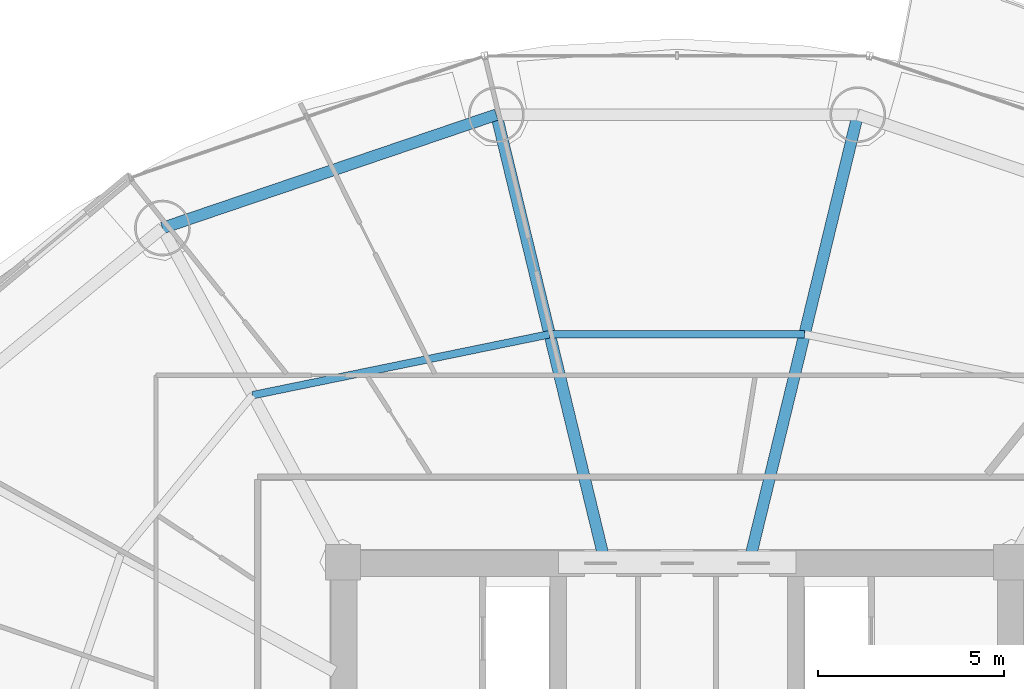
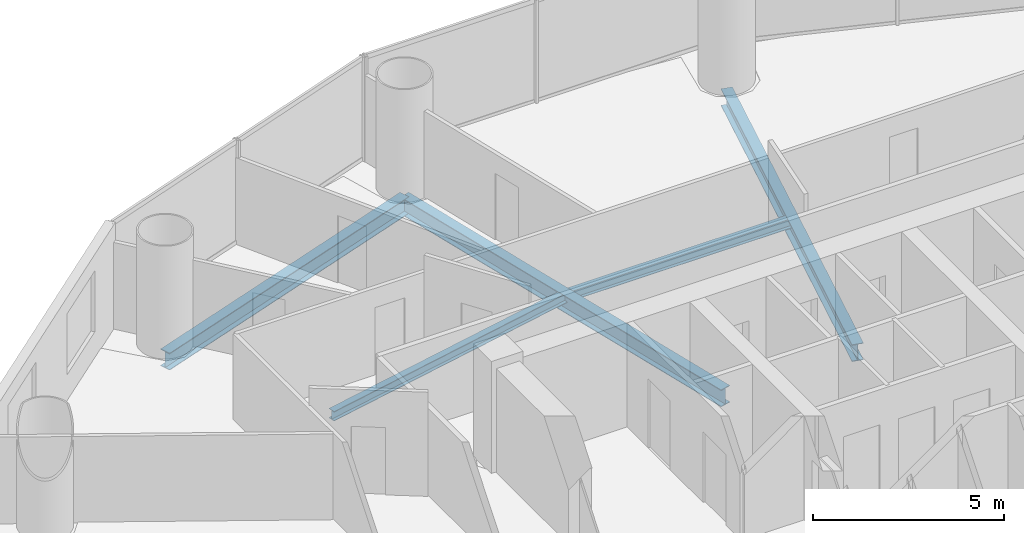
# One storey, part 17 of 29: 5 beams.
"""IFC4 building model written with IfcOpenShell, lengths in metres."""

import ifcopenshell
import ifcopenshell.guid

model = None  # the IFC model being written
_history = None  # IfcOwnerHistory: only IFC2X3 demands one
_inside = {}  # id of a spatial element -> (the spatial element, [elements in it])
_under = {}  # id of a project, library or spatial element -> (it, [spatial elements below it])
_declared = {}  # id of a project -> (the project, [libraries it declares])
_typed = {}  # id of a type object -> (the type object, [elements of that type])
_made_of = {}  # id of a material, layer set ... -> (it, [elements and type objects made of it])


def new_model(schema):
    """Start an empty IFC model of exactly this schema.

    Asked for "IFC4X3", IfcOpenShell would pick the latest addendum, in which some entities
    have other attributes; the version numbers below select the first issue.
    IFC2X3 requires an IfcOwnerHistory on every rooted entity: one is made here for all.
    """
    global model, _history
    if schema == "IFC4X3":
        model = ifcopenshell.file(schema_version=(4, 3, 0, 0))
    else:
        model = ifcopenshell.file(schema=schema)
    _inside.clear()
    _under.clear()
    _declared.clear()
    _typed.clear()
    _made_of.clear()
    _history = None
    if model.schema == "IFC2X3":
        org = make("IfcOrganization", Name="unknown")
        user = make(
            "IfcPersonAndOrganization",
            ThePerson=make("IfcPerson", FamilyName="unknown"),
            TheOrganization=org,
        )
        app = make(
            "IfcApplication",
            ApplicationDeveloper=org,
            Version="unknown",
            ApplicationFullName="unknown",
            ApplicationIdentifier="unknown",
        )
        _history = make(
            "IfcOwnerHistory",
            OwningUser=user,
            OwningApplication=app,
            ChangeAction="ADDED",
            CreationDate=0,
        )
    return model


def make(cls, **values):
    """One entity of the class cls with the attributes given. An attribute that is None is left unset."""
    return model.create_entity(
        cls, **{name: value for name, value in values.items() if value is not None}
    )


def rooted(cls, **values):
    """An entity with a GlobalId (a new one), such as an element, a storey or a relation."""
    return make(cls, GlobalId=ifcopenshell.guid.new(), OwnerHistory=_history, **values)


def si_unit(unit_type, name, prefix=None):
    """IfcSIUnit, for example si_unit("LENGTHUNIT", "METRE", prefix="MILLI")."""
    return make("IfcSIUnit", UnitType=unit_type, Prefix=prefix, Name=name)


def assignment(units):
    """IfcUnitAssignment: the units of a project."""
    return None if units is None else make("IfcUnitAssignment", Units=units)


def point(xyz):
    """IfcCartesianPoint."""
    return None if xyz is None else make("IfcCartesianPoint", Coordinates=xyz)


def direction(xyz):
    """IfcDirection."""
    return None if xyz is None else make("IfcDirection", DirectionRatios=xyz)


def frame(location, z_axis=None, x_axis=None):
    """IfcAxis2Placement3D, a coordinate frame: its origin and axes. An axis left out is left unset."""
    return make(
        "IfcAxis2Placement3D",
        Location=point(location),
        Axis=direction(z_axis),
        RefDirection=direction(x_axis),
    )


def frame_2d(location, x_axis=None):
    """IfcAxis2Placement2D, a coordinate frame in the plane: its origin and x axis."""
    return make(
        "IfcAxis2Placement2D", Location=point(location), RefDirection=direction(x_axis)
    )


def origin():
    """The frame at (0, 0, 0) with its axes left unset."""
    return frame((0.0, 0.0, 0.0))


def origin_2d():
    """The frame at (0, 0) in the plane with its x axis left unset."""
    return frame_2d((0.0, 0.0))


def place(relative_to, where):
    """IfcLocalPlacement: puts the frame where relative to a parent placement (None: the world)."""
    return make(
        "IfcLocalPlacement", PlacementRelTo=relative_to, RelativePlacement=where
    )


def context(
    kind, dimensions, precision=None, world=None, true_north=None, identifier=None
):
    """IfcGeometricRepresentationContext, for example the 3D "Model" context."""
    return make(
        "IfcGeometricRepresentationContext",
        ContextIdentifier=identifier,
        ContextType=kind,
        CoordinateSpaceDimension=dimensions,
        Precision=precision,
        WorldCoordinateSystem=world,
        TrueNorth=true_north,
    )


def subcontext(parent, identifier, kind, view, scale=None):
    """IfcGeometricRepresentationSubContext, for example "Body" below "Model"."""
    return make(
        "IfcGeometricRepresentationSubContext",
        ContextIdentifier=identifier,
        ContextType=kind,
        ParentContext=parent,
        TargetScale=scale,
        TargetView=view,
    )


def project(units=None, contexts=None):
    """IfcProject with its units and contexts."""
    return rooted(
        "IfcProject",
        Name="project",
        RepresentationContexts=contexts,
        UnitsInContext=assignment(units),
    )


def spatial(cls, under=None, at=None, **own):
    """A site, building, storey or space (cls), placed at a placement, below another one or the project."""
    s = rooted(cls, ObjectPlacement=at, **own)
    if under is not None:
        _under.setdefault(under.id(), (under, []))[1].append(s)
    return s


def profile(cls, at=None, kind="AREA", **sizes):
    """A parametric profile (cls). Its sizes go by their IFC names, for example OverallWidth=200.0."""
    return make(cls, ProfileType=kind, Position=at, **sizes)


def i_section(**sizes):
    """IfcIShapeProfileDef."""
    return profile("IfcIShapeProfileDef", **sizes)


def extrude(swept, where, along, depth):
    """IfcExtrudedAreaSolid: the profile swept, set in the frame where, extruded along a direction by depth."""
    return make(
        "IfcExtrudedAreaSolid",
        SweptArea=swept,
        Position=where,
        ExtrudedDirection=direction(along),
        Depth=depth,
    )


def shape(context_of_items, identifier, shape_type, items):
    """IfcShapeRepresentation: the items that make up one representation, for example the "Body"."""
    return make(
        "IfcShapeRepresentation",
        ContextOfItems=context_of_items,
        RepresentationIdentifier=identifier,
        RepresentationType=shape_type,
        Items=items,
    )


def material(Name=None, Category=None):
    """IfcMaterial."""
    return make("IfcMaterial", Name=Name, Category=Category)


def material_profile(
    of_material, cross_section, Name=None, Category=None, Priority=None
):
    """IfcMaterialProfile: a cross section and its material."""
    return make(
        "IfcMaterialProfile",
        Name=Name,
        Material=of_material,
        Profile=cross_section,
        Priority=Priority,
        Category=Category,
    )


def profile_set(profiles, Name=None, composite=None):
    """IfcMaterialProfileSet."""
    return make(
        "IfcMaterialProfileSet",
        Name=Name,
        MaterialProfiles=profiles,
        CompositeProfile=composite,
    )


def made_of(thing, what):
    """Note that an element or type object is made of a material, layer set ...; save() writes the relation."""
    if what is not None:
        _made_of.setdefault(what.id(), (what, []))[1].append(thing)
    return thing


def type_object(cls, material=None, **own):
    """A type object (cls), such as IfcWallType, which elements share."""
    return made_of(rooted(cls, **own), material)


def element(
    cls,
    number,
    at=None,
    inside=None,
    cuts=None,
    type_object=None,
    material=None,
    context=None,
    identifier="Body",
    shape_type=None,
    held_by="IfcProductDefinitionShape",
    body=None,
    shapes=None,
    **own,
):
    """One element of the class cls, such as IfcWall. Its Tag is "e" and its number.

    at: its placement. inside: the storey or other place that contains it. cuts: it is an
    opening in that element (IfcRelVoidsElement). A single representation is given by context,
    identifier, shape_type and body (its items); several are given by shapes. held_by: the class
    of the entity that holds the representations. save() writes the other relations.
    """
    e = rooted(cls, Tag="e%d" % number, ObjectPlacement=at, **own)
    if body is not None:
        shapes = [shape(context, identifier, shape_type, body)]
    if shapes is not None:
        e.Representation = make(held_by, Representations=shapes)
    if inside is not None:
        _inside.setdefault(inside.id(), (inside, []))[1].append(e)
    if cuts is not None:
        rooted(
            "IfcRelVoidsElement", RelatingBuildingElement=cuts, RelatedOpeningElement=e
        )
    if type_object is not None:
        _typed.setdefault(type_object.id(), (type_object, []))[1].append(e)
    return made_of(e, material)


def aggregate(whole, parts):
    """IfcRelAggregates: a whole, such as a stair, and the parts it consists of."""
    return rooted("IfcRelAggregates", RelatingObject=whole, RelatedObjects=parts)


def save(model, path):
    """Write the relations noted so far, then the file.

    IfcRelAggregates (storeys below a building ...), IfcRelContainedInSpatialStructure (elements
    in a storey), IfcRelDefinesByType, IfcRelAssociatesMaterial and IfcRelDeclares: one each for
    every whole, place, type object, material and project.
    """
    for whole, parts in _under.values():
        aggregate(whole, parts)
    for where, things in _inside.values():
        rooted(
            "IfcRelContainedInSpatialStructure",
            RelatedElements=things,
            RelatingStructure=where,
        )
    for kind, things in _typed.values():
        rooted("IfcRelDefinesByType", RelatedObjects=things, RelatingType=kind)
    for what, things in _made_of.values():
        rooted("IfcRelAssociatesMaterial", RelatedObjects=things, RelatingMaterial=what)
    for by, libraries in _declared.values():
        rooted("IfcRelDeclares", RelatingContext=by, RelatedDefinitions=libraries)
    model.write(path)


model = new_model("IFC4")

# Units and contexts
model_context = context("Model", 3, precision=1e-05, world=origin(), true_north=direction((-0.2419218956, 0.970295726276)))
body_context = subcontext(model_context, "Body", "Model", "MODEL_VIEW")
ifc_project = project(units=[si_unit("LENGTHUNIT", "METRE"), si_unit("AREAUNIT", "SQUARE_METRE"), si_unit("VOLUMEUNIT", "CUBIC_METRE"), si_unit("PLANEANGLEUNIT", "RADIAN"), si_unit("MASSUNIT", "GRAM", prefix="KILO")], contexts=[model_context])

# Site, building, storey
site_placement = place(None, origin())
site = spatial("IfcSite", under=ifc_project, at=site_placement, CompositionType="ELEMENT")
building_placement = place(site_placement, origin())
building = spatial("IfcBuilding", under=site, at=building_placement, Name="Cobrevalo Terracotta Tower", CompositionType="ELEMENT")
storey_placement = place(building_placement, frame((0.0, 0.0, 119.39990234375)))
storey = spatial("IfcBuildingStorey", under=building, at=storey_placement, Name="L31", CompositionType="ELEMENT", Elevation=119.39990234375)

# Beams
ifc_material = material(Name="Steel S355", Category="steel")
ifc_material_profile_1 = material_profile(ifc_material, i_section(OverallWidth=0.31201171875, OverallDepth=0.54296875, WebThickness=0.0126953125, FlangeThickness=0.020263671875, at=origin_2d()), Name="W 530x150")
ifc_profile_set_1 = profile_set([ifc_material_profile_1], Name="Steel S355")
beam_type_1 = type_object("IfcBeamType", Name="Structural Beam W 530x150 (Steel S355)", PredefinedType="BEAM", material=ifc_profile_set_1)
for number, where, z_axis, x_axis, name in (
    (1, (42.867431640625, 46.857177734375, -0.54638671875), (-0.235827379387, -0.971794961467, 0.0), (0.971794961467, -0.235827379387, 0.0), "L31 radial floor girder 04"),
    (2, (33.132568359375, 46.857177734375, -0.54638671875), (0.235827379387, -0.971794961467, 0.0), (0.971794961467, 0.235827379387, 0.0), "L31 radial floor girder 05"),
):
    element("IfcBeam", number, at=place(storey_placement, frame(where, z_axis=z_axis, x_axis=x_axis)), inside=storey, type_object=beam_type_1, Name=name, PredefinedType="BEAM", context=body_context, shape_type="SweptSolid", body=[
        extrude(i_section(OverallWidth=0.31201171875, OverallDepth=0.54296875, WebThickness=0.0126953125, FlangeThickness=0.020263671875, at=origin_2d()), origin(), (0.0, 0.0, 1.0), 12.17041015625),
    ])
ifc_material_profile_2 = material_profile(ifc_material, i_section(OverallWidth=0.2041015625, OverallDepth=0.305908203125, WebThickness=0.008544921875, FlangeThickness=0.0146484375, at=origin_2d()), Name="W 310x67")
ifc_profile_set_2 = profile_set([ifc_material_profile_2], Name="Steel S355")
beam_type_2 = type_object("IfcBeamType", Name="Structural Joist W 310x67 (Steel S355)", PredefinedType="JOIST", material=ifc_profile_set_2)
beam_1_placement = place(storey_placement, frame((41.432373046875, 40.943603515625, -0.427978515625), z_axis=(-1.0, 0.0, 0.0), x_axis=(0.0, -1.0, 0.0)))
element("IfcBeam", 3, at=beam_1_placement, inside=storey, type_object=beam_type_2, Name="L31 circumferential secondary floor joist 04", PredefinedType="JOIST", context=body_context, shape_type="SweptSolid", body=[
    extrude(i_section(OverallWidth=0.2041015625, OverallDepth=0.305908203125, WebThickness=0.008544921875, FlangeThickness=0.0146484375, at=origin_2d()), origin(), (0.0, 0.0, 1.0), 6.86474609375),
])
beam_2_placement = place(storey_placement, frame((34.567626953125, 40.943603515625, -0.427978515625), z_axis=(-0.979574469315, -0.201081722357, 0.0), x_axis=(0.201081722357, -0.979574469315, 0.0)))
element("IfcBeam", 4, at=beam_2_placement, inside=storey, type_object=beam_type_2, Name="L31 circumferential secondary floor joist 05", PredefinedType="JOIST", context=body_context, shape_type="SweptSolid", body=[
    extrude(i_section(OverallWidth=0.2041015625, OverallDepth=0.305908203125, WebThickness=0.008544921875, FlangeThickness=0.0146484375, at=origin_2d()), origin(), (0.0, 0.0, 1.0), 8.1650390625),
])
ifc_material_profile_3 = material_profile(ifc_material, i_section(OverallWidth=0.31201171875, OverallDepth=0.54296875, WebThickness=0.0126953125, FlangeThickness=0.020263671875, at=origin_2d()), Name="W 530x150")
ifc_profile_set_3 = profile_set([ifc_material_profile_3], Name="Steel S355")
beam_type_3 = type_object("IfcBeamType", Name="Structural Spandrel W 530x150 (Steel S355)", PredefinedType="SPANDREL", material=ifc_profile_set_3)
beam_3_placement = place(storey_placement, frame((33.132568359375, 46.857177734375, -0.54638671875), z_axis=(-0.946910528816, -0.32149720126, 0.0), x_axis=(0.32149720126, -0.946910528816, 0.0)))
element("IfcBeam", 5, at=beam_3_placement, inside=storey, type_object=beam_type_3, Name="L31 perimeter ring spandrel 05", PredefinedType="SPANDREL", context=body_context, shape_type="SweptSolid", body=[
    extrude(i_section(OverallWidth=0.31201171875, OverallDepth=0.54296875, WebThickness=0.0126953125, FlangeThickness=0.020263671875, at=origin_2d()), origin(), (0.0, 0.0, 1.0), 9.498291015625),
])

save(model, "model.ifc")
